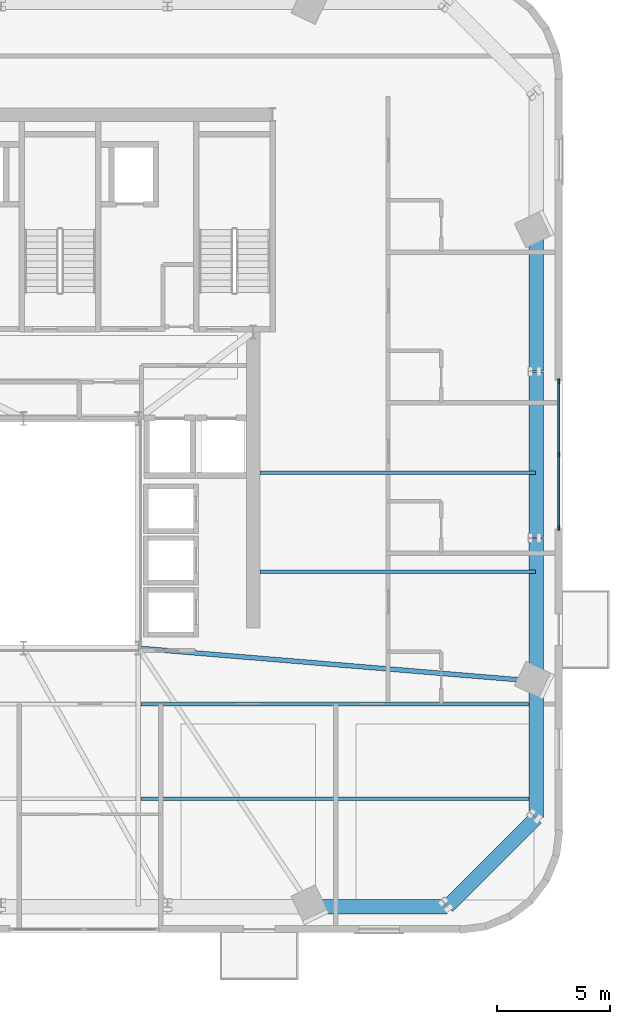
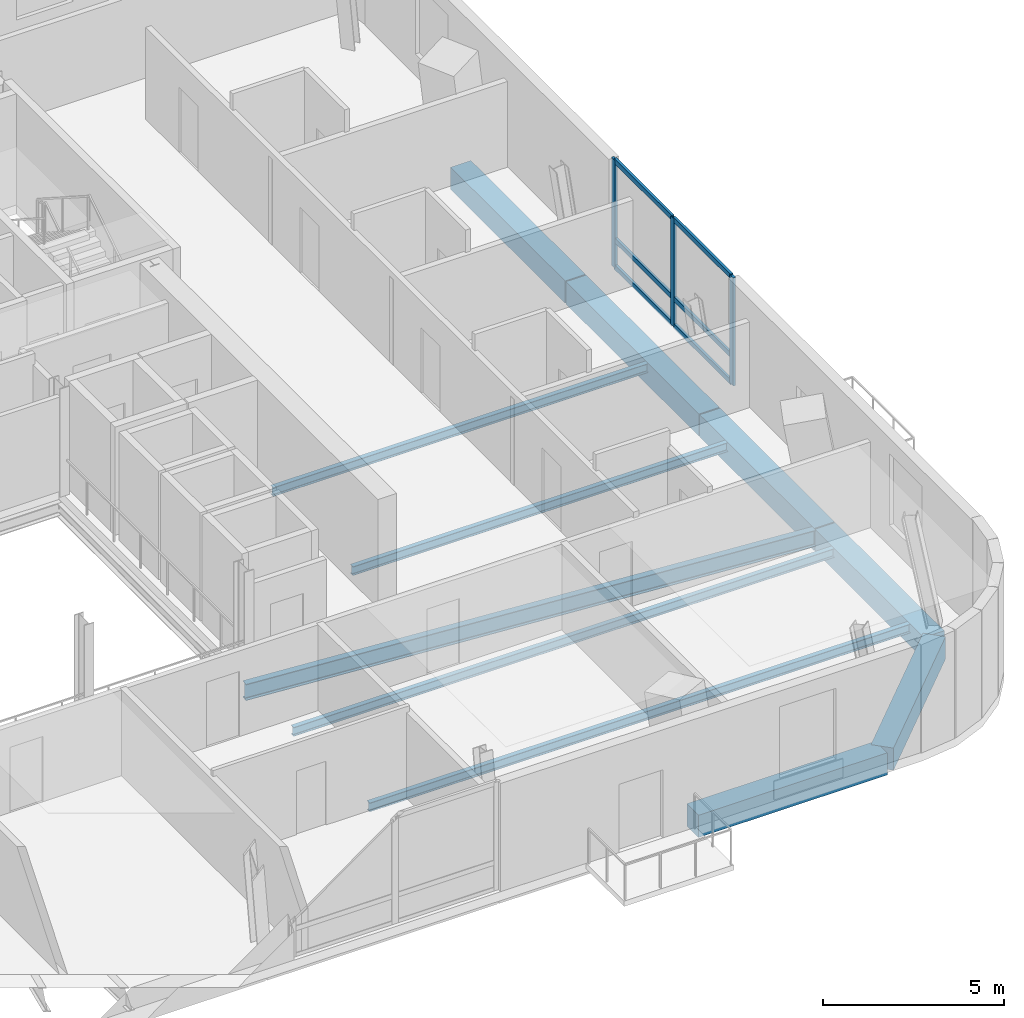
# One storey, part 3 of 14: 11 beams, 9 members, 1 element without a shape of its own.
"""IFC4 building model written with IfcOpenShell, lengths in metres."""

from ifc_helpers import new_model, si_unit, direction, frame, origin, origin_2d, place, context, subcontext, project, spatial, rectangle, i_section, extrude, source, transform, mapped, material, material_profile, profile_set, type_object, element, aggregate, save


model = new_model("IFC4")

# Units and contexts
model_context = context("Model", 3, precision=1e-05, world=origin(), true_north=direction((0.0, 1.0)))
body_context = subcontext(model_context, "Body", "Model", "MODEL_VIEW")
ifc_project = project(units=[si_unit("LENGTHUNIT", "METRE"), si_unit("AREAUNIT", "SQUARE_METRE"), si_unit("VOLUMEUNIT", "CUBIC_METRE"), si_unit("PLANEANGLEUNIT", "RADIAN"), si_unit("MASSUNIT", "GRAM", prefix="KILO")], contexts=[model_context])

# Site, building, storey
site_placement = place(None, origin())
site = spatial("IfcSite", under=ifc_project, at=site_placement, CompositionType="ELEMENT")
building_placement = place(site_placement, origin())
building = spatial("IfcBuilding", under=site, at=building_placement, Name="Vardaveli Station Tower", CompositionType="ELEMENT")
storey_placement = place(building_placement, frame((0.0, 0.0, 270.35009765625)))
storey = spatial("IfcBuildingStorey", under=building, at=storey_placement, Name="L69", CompositionType="ELEMENT", Elevation=270.35009765625)

# Beams
ifc_material_1 = material(Name="Precast concrete C45/55", Category="concrete")
ifc_material_profile_1 = material_profile(ifc_material_1, rectangle(XDim=0.64990234375, YDim=0.75, at=origin_2d()), Name="LPB 650x750")
ifc_profile_set_1 = profile_set([ifc_material_profile_1], Name="Precast concrete C45/55")
beam_type_1 = type_object("IfcBeamType", Name="BM-LPB-750", PredefinedType="BEAM", material=ifc_profile_set_1)
shared_shape_1 = source(origin(), body_context, "Body", "SweptSolid", [
    extrude(rectangle(XDim=0.64990234375, YDim=0.75, at=origin_2d()), origin(), (0.0, 0.0, 1.0), 7.35986328125),
])
beam_1_placement = place(storey_placement, frame((59.090087890625, 21.52001953125, -0.675048828125), z_axis=(0.0, 1.0, 0.0), x_axis=(-1.0, 0.0, 0.0)))
element("IfcBeam", 1, at=beam_1_placement, inside=storey, type_object=beam_type_1, Name="RBM-L69-08", PredefinedType="BEAM", context=body_context, shape_type="MappedRepresentation", body=[
    mapped(shared_shape_1, transform((0.0, 0.0, 0.0), scale=1.0)),
])
shared_shape_2 = source(origin(), body_context, "Body", "SweptSolid", [
    extrude(rectangle(XDim=0.64990234375, YDim=0.75, at=origin_2d()), origin(), (0.0, 0.0, 1.0), 6.328125),
])
beam_2_placement = place(storey_placement, frame((59.090087890625, 28.919921875, -0.675048828125), z_axis=(0.0, 1.0, 0.0), x_axis=(-1.0, 0.0, 0.0)))
element("IfcBeam", 2, at=beam_2_placement, inside=storey, type_object=beam_type_1, Name="RBM-L69-09", PredefinedType="BEAM", context=body_context, shape_type="MappedRepresentation", body=[
    mapped(shared_shape_2, transform((0.0, 0.0, 0.0), scale=1.0)),
])
shared_shape_3 = source(origin(), body_context, "Body", "SweptSolid", [
    extrude(rectangle(XDim=0.64990234375, YDim=0.75, at=origin_2d()), origin(), (0.0, 0.0, 1.0), 6.022216796875),
])
beam_3_placement = place(storey_placement, frame((49.087890625, 5.110107421875, -0.675048828125), z_axis=(1.0, 0.0, 0.0), x_axis=(0.0, 1.0, 0.0)))
element("IfcBeam", 3, at=beam_3_placement, inside=storey, type_object=beam_type_1, Name="RBM-L69-04", PredefinedType="BEAM", context=body_context, shape_type="MappedRepresentation", body=[
    mapped(shared_shape_3, transform((0.0, 0.0, 0.0), scale=1.0)),
])
shared_shape_4 = source(origin(), body_context, "Body", "SweptSolid", [
    extrude(rectangle(XDim=0.64990234375, YDim=0.75, at=origin_2d()), origin(), (0.0, 0.0, 1.0), 5.560546875),
])
beam_4_placement = place(storey_placement, frame((55.14404296875, 5.1240234375, -0.675048828125), z_axis=(0.707106781187, 0.707106781187, 0.0), x_axis=(-0.707106781187, 0.707106781187, 0.0)))
element("IfcBeam", 4, at=beam_4_placement, inside=storey, type_object=beam_type_1, Name="RBM-L69-05", PredefinedType="BEAM", context=body_context, shape_type="MappedRepresentation", body=[
    mapped(shared_shape_4, transform((0.0, 0.0, 0.0), scale=1.0)),
])
shared_shape_5 = source(origin(), body_context, "Body", "SweptSolid", [
    extrude(rectangle(XDim=0.64990234375, YDim=0.75, at=origin_2d()), origin(), (0.0, 0.0, 1.0), 6.02197265625),
])
beam_5_placement = place(storey_placement, frame((59.090087890625, 9.090087890625, -0.675048828125), z_axis=(0.0, 1.0, 0.0), x_axis=(-1.0, 0.0, 0.0)))
element("IfcBeam", 5, at=beam_5_placement, inside=storey, type_object=beam_type_1, Name="RBM-L69-06", PredefinedType="BEAM", context=body_context, shape_type="MappedRepresentation", body=[
    mapped(shared_shape_5, transform((0.0, 0.0, 0.0), scale=1.0)),
])
shared_shape_6 = source(origin(), body_context, "Body", "SweptSolid", [
    extrude(rectangle(XDim=0.64990234375, YDim=0.75, at=origin_2d()), origin(), (0.0, 0.0, 1.0), 6.327880859375),
])
beam_6_placement = place(storey_placement, frame((59.090087890625, 15.152099609375, -0.675048828125), z_axis=(0.0, 1.0, 0.0), x_axis=(-1.0, 0.0, 0.0)))
element("IfcBeam", 6, at=beam_6_placement, inside=storey, type_object=beam_type_1, Name="RBM-L69-07", PredefinedType="BEAM", context=body_context, shape_type="MappedRepresentation", body=[
    mapped(shared_shape_6, transform((0.0, 0.0, 0.0), scale=1.0)),
])
ifc_material_2 = material(Name="Structural steel S355J2", Category="steel")
ifc_material_profile_2 = material_profile(ifc_material_2, i_section(OverallWidth=0.2099609375, OverallDepth=0.550048828125, WebThickness=0.010986328125, FlangeThickness=0.01708984375, FilletRadius=0.02392578125, at=origin_2d()), Name="IPE 550")
ifc_profile_set_2 = profile_set([ifc_material_profile_2], Name="Structural steel S355J2")
beam_type_2 = type_object("IfcBeamType", Name="BM-IPE550", PredefinedType="BEAM", material=ifc_profile_set_2)
shared_shape_7 = source(origin(), body_context, "Body", "SweptSolid", [
    extrude(i_section(OverallWidth=0.2099609375, OverallDepth=0.550048828125, WebThickness=0.010986328125, FlangeThickness=0.01708984375, FilletRadius=0.02392578125, at=origin_2d()), origin(), (0.0, 0.0, 1.0), 17.7109375),
])
beam_7_placement = place(storey_placement, frame((59.070068359375, 15.133544921875, -0.5751953125), z_axis=(-0.996573746403, 0.082708935313, 0.0), x_axis=(-0.082708935313, -0.996573746403, 0.0)))
element("IfcBeam", 7, at=beam_7_placement, inside=storey, type_object=beam_type_2, Name="GBM-L69-05", PredefinedType="BEAM", context=body_context, shape_type="MappedRepresentation", body=[
    mapped(shared_shape_7, transform((0.0, 0.0, 0.0), scale=1.0)),
])
ifc_material_profile_3 = material_profile(ifc_material_2, i_section(OverallWidth=0.14990234375, OverallDepth=0.300048828125, WebThickness=0.007080078125, FlangeThickness=0.0107421875, FilletRadius=0.014892578125, at=origin_2d()), Name="IPE 300")
ifc_profile_set_3 = profile_set([ifc_material_profile_3], Name="Structural steel S355J2")
beam_type_3 = type_object("IfcBeamType", Name="BM-IPE300", PredefinedType="JOIST", material=ifc_profile_set_3)
shared_shape_8 = source(origin(), body_context, "Body", "SweptSolid", [
    extrude(i_section(OverallWidth=0.14990234375, OverallDepth=0.300048828125, WebThickness=0.007080078125, FlangeThickness=0.0107421875, FilletRadius=0.014892578125, at=origin_2d()), origin(), (0.0, 0.0, 1.0), 17.5380859375),
])
for number, where, z_axis, x_axis, name in (
    (8, (41.511962890625, 9.909912109375, -0.4501953125), (1.0, 0.0, 0.0), (0.0, 1.0, 0.0), "SJ-L69-S03"),
    (9, (41.511962890625, 14.110107421875, -0.4501953125), (1.0, 0.0, 0.0), (0.0, 1.0, 0.0), "SJ-L69-S06"),
):
    element("IfcBeam", number, at=place(storey_placement, frame(where, z_axis=z_axis, x_axis=x_axis)), inside=storey, type_object=beam_type_3, Name=name, PredefinedType="JOIST", context=body_context, shape_type="MappedRepresentation", body=[
        mapped(shared_shape_8, transform((0.0, 0.0, 0.0), scale=1.0)),
    ])
shared_shape_9 = source(origin(), body_context, "Body", "SweptSolid", [
    extrude(i_section(OverallWidth=0.14990234375, OverallDepth=0.300048828125, WebThickness=0.007080078125, FlangeThickness=0.0107421875, FilletRadius=0.014892578125, at=origin_2d()), origin(), (0.0, 0.0, 1.0), 12.2451171875),
])
for number, where, z_axis, x_axis, name in (
    (10, (46.804931640625, 20.0, -0.4501953125), (1.0, 0.0, 0.0), (0.0, 1.0, 0.0), "SJ-L69-E09"),
    (11, (46.804931640625, 24.39990234375, -0.4501953125), (1.0, 0.0, 0.0), (0.0, 1.0, 0.0), "SJ-L69-E10"),
):
    element("IfcBeam", number, at=place(storey_placement, frame(where, z_axis=z_axis, x_axis=x_axis)), inside=storey, type_object=beam_type_3, Name=name, PredefinedType="JOIST", context=body_context, shape_type="MappedRepresentation", body=[
        mapped(shared_shape_9, transform((0.0, 0.0, 0.0), scale=1.0)),
    ])

# Curtain wall, members
ifc_material_3 = material(Name="Travertine stone and solar-control glass", Category="masonry")
curtain_wall_type = type_object("IfcCurtainWallType", Name="CW-SYS-5", PredefinedType="NOTDEFINED", material=ifc_material_3)
curtain_wall_placement = place(storey_placement, origin())
curtain_wall = element("IfcCurtainWall", 12, at=curtain_wall_placement, inside=storey, type_object=curtain_wall_type, Name="CW-L69-E", PredefinedType="NOTDEFINED")
ifc_material_4 = material(Name="Anodised aluminium alloy 6063-T6", Category="aluminium")
ifc_material_profile_4 = material_profile(ifc_material_4, rectangle(XDim=0.080078125, YDim=0.1650390625, at=origin_2d()), Name="CWT 80x165")
ifc_profile_set_4 = profile_set([ifc_material_profile_4], Name="Anodised aluminium alloy 6063-T6")
member_type_1 = type_object("IfcMemberType", Name="CW-SYS-5-TRAN", PredefinedType="NOTDEFINED", material=ifc_profile_set_4)
shared_shape_10 = source(origin(), body_context, "Body", "SweptSolid", [
    extrude(rectangle(XDim=0.080078125, YDim=0.1650390625, at=origin_2d()), origin(), (0.0, 0.0, 1.0), 3.179931640625),
])
member_1_placement = place(storey_placement, frame((60.080078125, 21.97998046875, 0.039794921875), z_axis=(0.0, 1.0, 0.0), x_axis=(-1.0, 0.0, 0.0)))
member_1 = element("IfcMember", 13, at=member_1_placement, type_object=member_type_1, Name="CW-5 transom 1.1", ObjectType="TRANSOM", PredefinedType="USERDEFINED", context=body_context, shape_type="MappedRepresentation", body=[
    mapped(shared_shape_10, transform((0.0, 0.0, 0.0), scale=1.0)),
])
member_2_placement = place(storey_placement, frame((60.080078125, 21.97998046875, 0.949951171875), z_axis=(0.0, 1.0, 0.0), x_axis=(-1.0, 0.0, 0.0)))
member_2 = element("IfcMember", 14, at=member_2_placement, type_object=member_type_1, Name="CW-5 transom 1.2", ObjectType="TRANSOM", PredefinedType="USERDEFINED", context=body_context, shape_type="MappedRepresentation", body=[
    mapped(shared_shape_10, transform((0.0, 0.0, 0.0), scale=1.0)),
])
member_3_placement = place(storey_placement, frame((60.080078125, 21.97998046875, 3.60986328125), z_axis=(0.0, 1.0, 0.0), x_axis=(-1.0, 0.0, 0.0)))
member_3 = element("IfcMember", 15, at=member_3_placement, type_object=member_type_1, Name="CW-5 transom 1.3", ObjectType="TRANSOM", PredefinedType="USERDEFINED", context=body_context, shape_type="MappedRepresentation", body=[
    mapped(shared_shape_10, transform((0.0, 0.0, 0.0), scale=1.0)),
])
member_4_placement = place(storey_placement, frame((60.080078125, 25.239990234375, 0.039794921875), z_axis=(0.0, 1.0, 0.0), x_axis=(-1.0, 0.0, 0.0)))
member_4 = element("IfcMember", 16, at=member_4_placement, type_object=member_type_1, Name="CW-5 transom 2.1", ObjectType="TRANSOM", PredefinedType="USERDEFINED", context=body_context, shape_type="MappedRepresentation", body=[
    mapped(shared_shape_10, transform((0.0, 0.0, 0.0), scale=1.0)),
])
member_5_placement = place(storey_placement, frame((60.080078125, 25.239990234375, 0.949951171875), z_axis=(0.0, 1.0, 0.0), x_axis=(-1.0, 0.0, 0.0)))
member_5 = element("IfcMember", 17, at=member_5_placement, type_object=member_type_1, Name="CW-5 transom 2.2", ObjectType="TRANSOM", PredefinedType="USERDEFINED", context=body_context, shape_type="MappedRepresentation", body=[
    mapped(shared_shape_10, transform((0.0, 0.0, 0.0), scale=1.0)),
])
member_6_placement = place(storey_placement, frame((60.080078125, 25.239990234375, 3.60986328125), z_axis=(0.0, 1.0, 0.0), x_axis=(-1.0, 0.0, 0.0)))
member_6 = element("IfcMember", 18, at=member_6_placement, type_object=member_type_1, Name="CW-5 transom 2.3", ObjectType="TRANSOM", PredefinedType="USERDEFINED", context=body_context, shape_type="MappedRepresentation", body=[
    mapped(shared_shape_10, transform((0.0, 0.0, 0.0), scale=1.0)),
])
ifc_material_profile_5 = material_profile(ifc_material_4, rectangle(XDim=0.080078125, YDim=0.205078125, at=origin_2d()), Name="CWM 80x205")
ifc_profile_set_5 = profile_set([ifc_material_profile_5], Name="Anodised aluminium alloy 6063-T6")
member_type_2 = type_object("IfcMemberType", Name="CW-SYS-5-MULL", PredefinedType="MULLION", material=ifc_profile_set_5)
shared_shape_11 = source(origin(), body_context, "Body", "SweptSolid", [
    extrude(rectangle(XDim=0.080078125, YDim=0.205078125, at=origin_2d()), origin(), (0.0, 0.0, 1.0), 3.64990234375),
])
member_7_placement = place(storey_placement, frame((60.080078125, 21.93994140625, 0.0), z_axis=(0.0, 0.0, 1.0), x_axis=(-1.0, 0.0, 0.0)))
member_7 = element("IfcMember", 19, at=member_7_placement, type_object=member_type_2, Name="CW-5 mullion 1", PredefinedType="MULLION", context=body_context, shape_type="MappedRepresentation", body=[
    mapped(shared_shape_11, transform((0.0, 0.0, 0.0), scale=1.0)),
])
member_8_placement = place(storey_placement, frame((60.080078125, 25.199951171875, 0.0), z_axis=(0.0, 0.0, 1.0), x_axis=(-1.0, 0.0, 0.0)))
member_8 = element("IfcMember", 20, at=member_8_placement, type_object=member_type_2, Name="CW-5 mullion 2", PredefinedType="MULLION", context=body_context, shape_type="MappedRepresentation", body=[
    mapped(shared_shape_11, transform((0.0, 0.0, 0.0), scale=1.0)),
])
member_9_placement = place(storey_placement, frame((60.080078125, 28.4599609375, 0.0), z_axis=(0.0, 0.0, 1.0), x_axis=(-1.0, 0.0, 0.0)))
member_9 = element("IfcMember", 21, at=member_9_placement, type_object=member_type_2, Name="CW-5 mullion 3", PredefinedType="MULLION", context=body_context, shape_type="MappedRepresentation", body=[
    mapped(shared_shape_11, transform((0.0, 0.0, 0.0), scale=1.0)),
])
aggregate(curtain_wall, [member_7, member_8, member_9, member_1, member_2, member_3, member_4, member_5, member_6])

save(model, "model.ifc")
